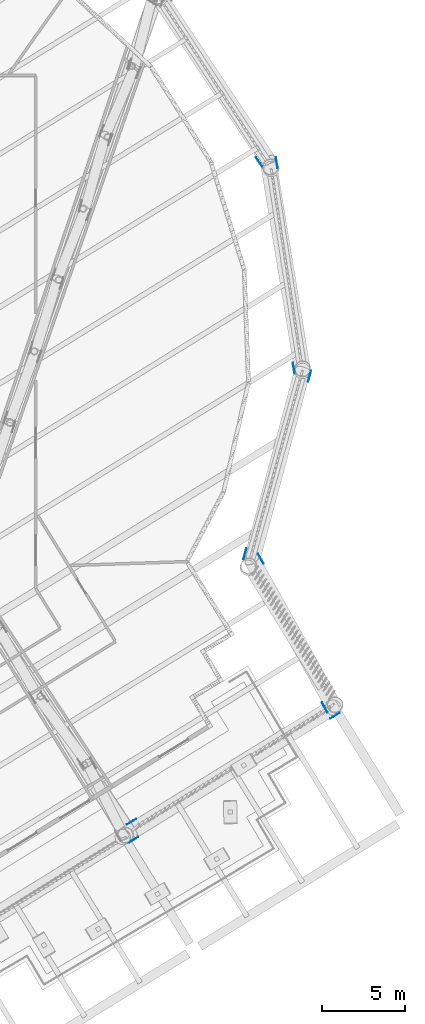
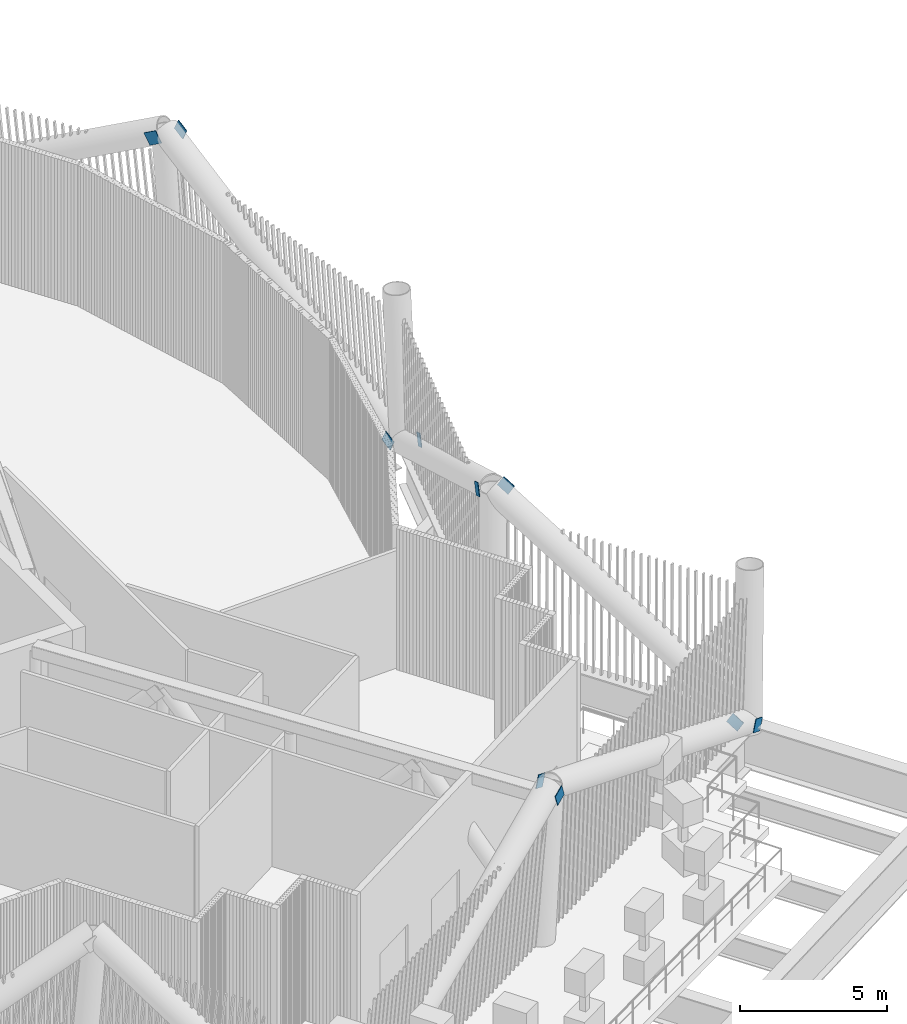
# One storey, part 23 of 40: 10 discrete accessories.
"""IFC4 building model written with IfcOpenShell, lengths in metres."""

from ifc_helpers import new_model, si_unit, direction, frame, origin, origin_2d, place, context, subcontext, project, spatial, rectangle, extrude, material, material_profile, profile_set, type_object, element, save


model = new_model("IFC4")

# Units and contexts
model_context = context("Model", 3, precision=1e-05, world=origin(), true_north=direction((0.0, 1.0)))
body_context = subcontext(model_context, "Body", "Model", "MODEL_VIEW")
ifc_project = project(units=[si_unit("LENGTHUNIT", "METRE"), si_unit("AREAUNIT", "SQUARE_METRE"), si_unit("VOLUMEUNIT", "CUBIC_METRE"), si_unit("PLANEANGLEUNIT", "RADIAN"), si_unit("MASSUNIT", "GRAM", prefix="KILO")], contexts=[model_context])

# Site, building, storey
site_placement = place(None, origin())
site = spatial("IfcSite", under=ifc_project, at=site_placement, CompositionType="ELEMENT")
building_placement = place(site_placement, origin())
building = spatial("IfcBuilding", under=site, at=building_placement, Name="Tarsis Ring Headquarters", CompositionType="ELEMENT")
storey_placement = place(building_placement, frame((0.0, 0.0, 354.800048828125)))
storey = spatial("IfcBuildingStorey", under=building, at=storey_placement, Name="L84", CompositionType="ELEMENT", Elevation=354.800048828125)

# Discrete accessories
ifc_material = material(Name="Structural steel S355", Category="steel")
ifc_material_profile = material_profile(ifc_material, rectangle(XDim=0.02490234375, YDim=0.5, at=origin_2d()), Name="PL 25x500")
ifc_profile_set = profile_set([ifc_material_profile], Name="Structural steel S355")
discrete_accessory_type = type_object("IfcDiscreteAccessoryType", Name="Gusset plate Belt truss 25", PredefinedType="BRACKET", material=ifc_profile_set)
for number, where, z_axis, x_axis, name in (
    (1, (19.07080078125, -29.69921875, 6.0), (-0.793002310011, -0.489766820777, -0.362320020953), (0.525470573012, -0.850811775246, 0.0), "Gusset plate GP4"),
    (2, (31.130615234375, -22.263427734375, 0.0), (-0.783819894874, -0.483477692165, 0.389712321563), (0.52498474692, -0.851111635158, 0.0), "Gusset plate GP4"),
    (3, (18.55078125, -28.856689453125, 6.0), (0.783670667102, 0.483385645128, -0.390126394401), (-0.52498474692, 0.851111635158, 0.0), "Gusset plate GP4"),
    (4, (30.438232421875, -22.0830078125, 0.0), (-0.417964514875, 0.750968953128, 0.511225288638), (-0.873781835979, -0.486318108971, 0.0), "Gusset plate GP4"),
    (5, (26.39501953125, -12.78857421875, 6.0), (0.418520747624, -0.750602554373, -0.511308311274), (0.873405708674, 0.486993293646, 0.0), "Gusset plate GP4"),
    (6, (29.477294921875, -1.82421875, 0.0), (-0.230420740426, -0.860172340318, 0.454983326434), (0.965943158069, -0.258754353353, 0.0), "Gusset plate GP4"),
):
    element("IfcDiscreteAccessory", number, at=place(storey_placement, frame(where, z_axis=z_axis, x_axis=x_axis)), inside=storey, type_object=discrete_accessory_type, Name=name, PredefinedType="BRACKET", context=body_context, shape_type="SweptSolid", body=[
        extrude(rectangle(XDim=0.02490234375, YDim=0.5, at=origin_2d()), origin(), (0.0, 0.0, 1.0), 0.5),
    ])
discrete_accessory_1_placement = place(storey_placement, frame((25.484375, -12.9013671875, 6.0), z_axis=(0.229907303472, 0.860077852902, -0.455421473756), x_axis=(-0.966080062317, 0.258242740835, 0.0)))
element("IfcDiscreteAccessory", 7, at=discrete_accessory_1_placement, inside=storey, type_object=discrete_accessory_type, Name="Gusset plate GP4", PredefinedType="BRACKET", context=body_context, shape_type="SweptSolid", body=[
    extrude(rectangle(XDim=0.02490234375, YDim=0.5, at=origin_2d()), origin(), (0.0, 0.0, 1.0), 0.500244140625),
])
discrete_accessory_2_placement = place(storey_placement, frame((28.510498046875, -1.776611328125, 0.0), z_axis=(-0.14696952018, 0.893047350196, 0.425283893942), x_axis=(-0.986727230184, -0.162386493322, 0.0)))
element("IfcDiscreteAccessory", 8, at=discrete_accessory_2_placement, inside=storey, type_object=discrete_accessory_type, Name="Gusset plate GP4", PredefinedType="BRACKET", context=body_context, shape_type="SweptSolid", body=[
    extrude(rectangle(XDim=0.02490234375, YDim=0.5, at=origin_2d()), origin(), (0.0, 0.0, 1.0), 0.5),
])
discrete_accessory_3_placement = place(storey_placement, frame((27.415283203125, 10.978515625, 6.0), z_axis=(0.147033630493, -0.892948427048, -0.425469409168), x_axis=(0.986712992803, 0.162472981857, 0.0)))
element("IfcDiscreteAccessory", 9, at=discrete_accessory_3_placement, inside=storey, type_object=discrete_accessory_type, Name="Gusset plate GP4", PredefinedType="BRACKET", context=body_context, shape_type="SweptSolid", body=[
    extrude(rectangle(XDim=0.02490234375, YDim=0.5, at=origin_2d()), origin(), (0.0, 0.0, 1.0), 0.499755859375),
])
discrete_accessory_4_placement = place(storey_placement, frame((26.5146484375, 10.62353515625, 6.0), z_axis=(-0.493497646402, 0.740978661956, -0.455423644009), x_axis=(-0.832303264386, -0.554320553554, 0.0)))
element("IfcDiscreteAccessory", 10, at=discrete_accessory_4_placement, inside=storey, type_object=discrete_accessory_type, Name="Gusset plate GP4", PredefinedType="BRACKET", context=body_context, shape_type="SweptSolid", body=[
    extrude(rectangle(XDim=0.02490234375, YDim=0.5, at=origin_2d()), origin(), (0.0, 0.0, 1.0), 0.500244140625),
])

save(model, "model.ifc")
